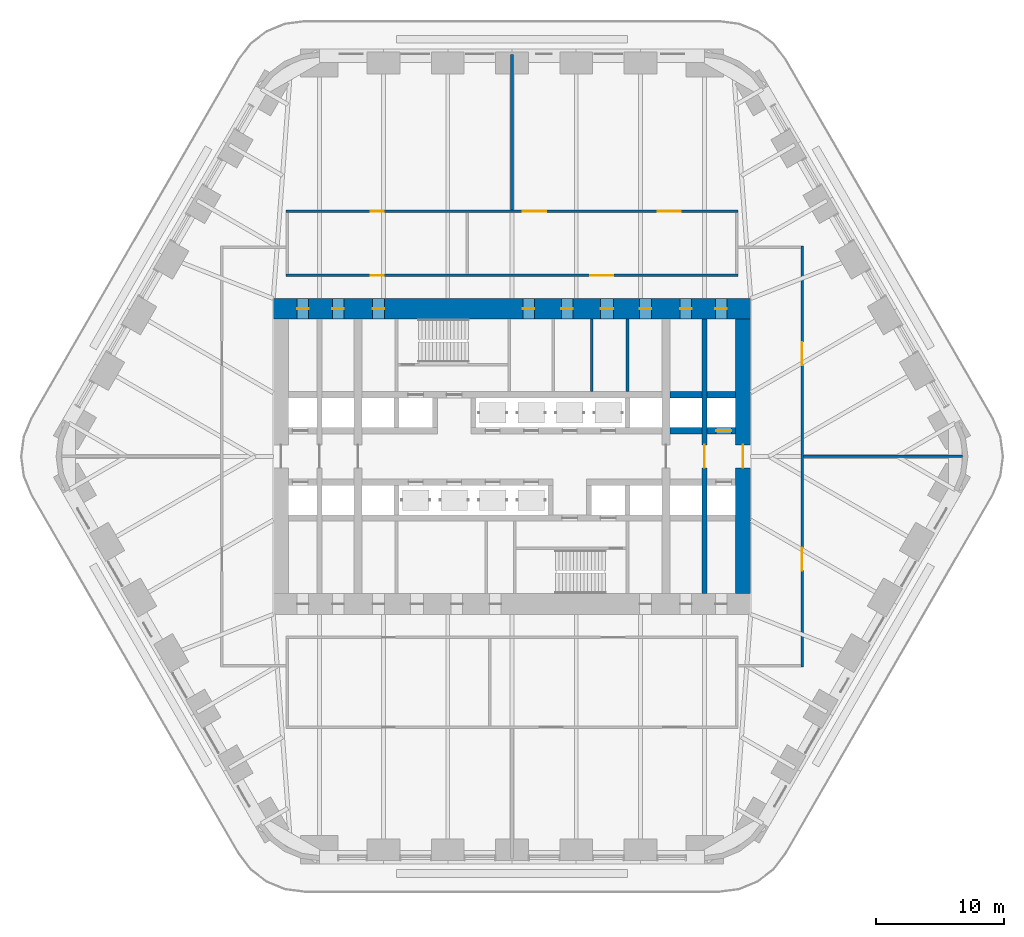
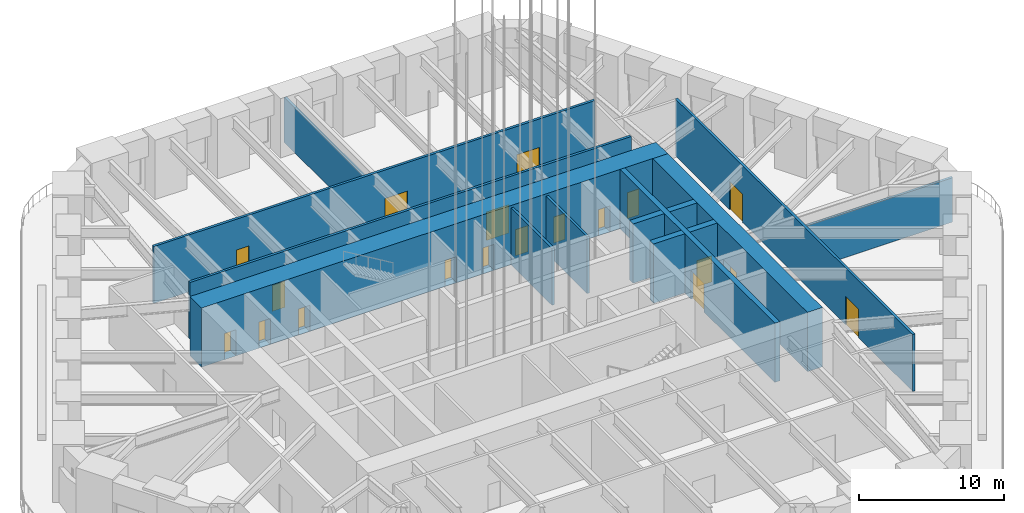
# One storey, part 10 of 15: 19 doors, 14 walls, 19 openings.
"""IFC4 building model written with IfcOpenShell, lengths in metres."""

from ifc_helpers import new_model, si_unit, direction, frame, frame_2d, origin, place, context, subcontext, project, spatial, rectangle, extrude, material, layer, layer_set, type_object, element, fill, save


model = new_model("IFC4")

# Units and contexts
model_context = context("Model", 3, precision=1e-05, world=origin(), true_north=direction((0.0, 1.0)))
body_context = subcontext(model_context, "Body", "Model", "MODEL_VIEW")
ifc_project = project(units=[si_unit("LENGTHUNIT", "METRE"), si_unit("AREAUNIT", "SQUARE_METRE"), si_unit("VOLUMEUNIT", "CUBIC_METRE"), si_unit("PLANEANGLEUNIT", "RADIAN"), si_unit("MASSUNIT", "GRAM", prefix="KILO")], contexts=[model_context])

# Site, building, storey
site_placement = place(None, origin())
site = spatial("IfcSite", under=ifc_project, at=site_placement, CompositionType="ELEMENT")
building_placement = place(site_placement, origin())
building = spatial("IfcBuilding", under=site, at=building_placement, Name="Tarfa Lantern Tower", CompositionType="ELEMENT")
storey_placement = place(building_placement, frame((0.0, 0.0, 114.5)))
storey = spatial("IfcBuildingStorey", under=building, at=storey_placement, Name="L25", CompositionType="ELEMENT", Elevation=114.5)

# Walls
ifc_material_1 = material(Name="Concrete blockwork", Category="masonry")
ifc_layer_1 = layer(ifc_material_1, 0.199951171875)
ifc_layer_set_1 = layer_set([ifc_layer_1], Name="IW1 BLOCKWORK PARTITION 200 EI 120")
wall_type_1 = type_object("IfcWallType", Name="IW1 BLOCKWORK PARTITION 200 EI 120", PredefinedType="PARTITIONING", material=ifc_layer_set_1)
for number, where, z_axis, x_axis, name in (
    (1, (9.0, 5.050048828125, 0.0), (0.0, 0.0, 1.0), (0.0, 1.0, 0.0), "Core partition"),
    (2, (6.199951171875, 5.050048828125, 0.0), (0.0, 0.0, 1.0), (0.0, 1.0, 0.0), "Core partition"),
):
    element("IfcWall", number, at=place(storey_placement, frame(where, z_axis=z_axis, x_axis=x_axis)), inside=storey, type_object=wall_type_1, Name=name, PredefinedType="PARTITIONING", context=body_context, shape_type="SweptSolid", body=[
        extrude(rectangle(XDim=5.64990234375, YDim=0.199951171875, at=frame_2d((2.824951171875, 0.0))), origin(), (0.0, 0.0, 1.0), 4.800048828125),
    ])

# Wall, openings, doors
ifc_material_2 = material(Name="Gypsum board on steel studs", Category="steel")
ifc_layer_2 = layer(ifc_material_2, 0.2099609375)
ifc_layer_set_2 = layer_set([ifc_layer_2], Name="IW2 ACOUSTIC PARTITION 200")
wall_type_2 = type_object("IfcWallType", Name="IW2 ACOUSTIC PARTITION 200", PredefinedType="PARTITIONING", material=ifc_layer_set_2)
wall_1_placement = place(storey_placement, frame((-17.60009765625, 14.10009765625, 0.0), z_axis=(0.0, 0.0, 1.0), x_axis=(1.0, 0.0, 0.0)))
wall_1 = element("IfcWall", 3, at=wall_1_placement, inside=storey, type_object=wall_type_2, Name="Partition", PredefinedType="PARTITIONING", context=body_context, shape_type="SweptSolid", body=[
    extrude(rectangle(XDim=35.2001953125, YDim=0.199951171875, at=frame_2d((17.60009765625, 0.0))), origin(), (0.0, 0.0, 1.0), 4.800048828125),
])
opening_1_placement = place(wall_1_placement, frame((6.60009765625, 0.0, 0.0)))
opening_1 = element("IfcOpeningElement", 4, at=opening_1_placement, cuts=wall_1, Name="Opening D35", PredefinedType="OPENING", context=body_context, shape_type="SweptSolid", body=[
    extrude(rectangle(XDim=1.0, YDim=2.199951171875, at=frame_2d((0.5, 1.10009765625))), frame((0.0, 0.10986328125, 0.0), z_axis=(0.0, -1.0, 0.0), x_axis=(1.0, 0.0, 0.0)), (0.0, 0.0, 1.0), 0.219970703125),
])
opening_2_placement = place(wall_1_placement, frame((23.699951171875, 0.0, 0.0)))
opening_2 = element("IfcOpeningElement", 5, at=opening_2_placement, cuts=wall_1, Name="Opening D36", PredefinedType="OPENING", context=body_context, shape_type="SweptSolid", body=[
    extrude(rectangle(XDim=1.800048828125, YDim=2.39990234375, at=frame_2d((0.89990234375, 1.199951171875))), frame((0.0, 0.10986328125, 0.0), z_axis=(0.0, -1.0, 0.0), x_axis=(1.0, 0.0, 0.0)), (0.0, 0.0, 1.0), 0.219970703125),
])
ifc_material_3 = material(Name="Timber door", Category="wood")
door_type_1 = type_object("IfcDoorType", Name="DR1 ROOM DOOR 1000x2200", OperationType="SINGLE_SWING_LEFT", PredefinedType="DOOR", material=ifc_material_3)
door_1_placement = place(opening_1_placement, origin())
door_1 = element("IfcDoor", 6, at=door_1_placement, inside=storey, type_object=door_type_1, Name="Reception door", OperationType="SINGLE_SWING_RIGHT", OverallHeight=2.199951171875, OverallWidth=1.0, PredefinedType="DOOR", context=body_context, shape_type="SweptSolid", body=[
    extrude(rectangle(XDim=1.0, YDim=2.199951171875, at=frame_2d((0.5, 1.10009765625))), frame((0.0, 0.02490234375, 0.0), z_axis=(0.0, -1.0, 0.0), x_axis=(1.0, 0.0, 0.0)), (0.0, 0.0, 1.0), 0.050048828125),
])
fill(opening_1, door_1)
door_type_2 = type_object("IfcDoorType", Name="DR2 ROOM DOOR 1800x2400", OperationType="DOUBLE_DOOR_SINGLE_SWING", PredefinedType="DOOR", material=ifc_material_3)
door_2_placement = place(opening_2_placement, origin())
door_2 = element("IfcDoor", 7, at=door_2_placement, inside=storey, type_object=door_type_2, Name="Waiting lounge door", OperationType="DOUBLE_DOOR_SINGLE_SWING", OverallHeight=2.39990234375, OverallWidth=1.800048828125, PredefinedType="DOOR", context=body_context, shape_type="SweptSolid", body=[
    extrude(rectangle(XDim=1.800048828125, YDim=2.39990234375, at=frame_2d((0.89990234375, 1.199951171875))), frame((0.0, 0.02490234375, 0.0), z_axis=(0.0, -1.0, 0.0), x_axis=(1.0, 0.0, 0.0)), (0.0, 0.0, 1.0), 0.050048828125),
])
fill(opening_2, door_2)

wall_2_placement = place(storey_placement, frame((-17.60009765625, 19.10009765625, 0.0), z_axis=(0.0, 0.0, 1.0), x_axis=(1.0, 0.0, 0.0)))
wall_2 = element("IfcWall", 8, at=wall_2_placement, inside=storey, type_object=wall_type_2, Name="Partition", PredefinedType="PARTITIONING", context=body_context, shape_type="SweptSolid", body=[
    extrude(rectangle(XDim=35.2001953125, YDim=0.199951171875, at=frame_2d((17.60009765625, 0.0))), origin(), (0.0, 0.0, 1.0), 4.800048828125),
])
opening_3_placement = place(wall_2_placement, frame((6.60009765625, 0.0, 0.0)))
opening_3 = element("IfcOpeningElement", 9, at=opening_3_placement, cuts=wall_2, Name="Opening D29", PredefinedType="OPENING", context=body_context, shape_type="SweptSolid", body=[
    extrude(rectangle(XDim=1.0, YDim=2.199951171875, at=frame_2d((0.5, 1.10009765625))), frame((0.0, 0.10986328125, 0.0), z_axis=(0.0, -1.0, 0.0), x_axis=(1.0, 0.0, 0.0)), (0.0, 0.0, 1.0), 0.219970703125),
])
opening_4_placement = place(wall_2_placement, frame((18.449951171875, 0.0, 0.0)))
opening_4 = element("IfcOpeningElement", 10, at=opening_4_placement, cuts=wall_2, Name="Opening D30", PredefinedType="OPENING", context=body_context, shape_type="SweptSolid", body=[
    extrude(rectangle(XDim=1.800048828125, YDim=2.39990234375, at=frame_2d((0.89990234375, 1.199951171875))), frame((0.0, 0.10986328125, 0.0), z_axis=(0.0, -1.0, 0.0), x_axis=(1.0, 0.0, 0.0)), (0.0, 0.0, 1.0), 0.219970703125),
])
opening_5_placement = place(wall_2_placement, frame((28.949951171875, 0.0, 0.0)))
opening_5 = element("IfcOpeningElement", 11, at=opening_5_placement, cuts=wall_2, Name="Opening D31", PredefinedType="OPENING", context=body_context, shape_type="SweptSolid", body=[
    extrude(rectangle(XDim=1.800048828125, YDim=2.39990234375, at=frame_2d((0.89990234375, 1.199951171875))), frame((0.0, 0.10986328125, 0.0), z_axis=(0.0, -1.0, 0.0), x_axis=(1.0, 0.0, 0.0)), (0.0, 0.0, 1.0), 0.219970703125),
])
door_3_placement = place(opening_3_placement, frame((1.0, 0.0, 0.0), z_axis=(0.0, 0.0, 1.0), x_axis=(-1.0, 0.0, 0.0)))
door_3 = element("IfcDoor", 12, at=door_3_placement, inside=storey, type_object=door_type_1, Name="Reception door", OperationType="SINGLE_SWING_LEFT", OverallHeight=2.199951171875, OverallWidth=1.0, PredefinedType="DOOR", context=body_context, shape_type="SweptSolid", body=[
    extrude(rectangle(XDim=1.0, YDim=2.199951171875, at=frame_2d((0.5, 1.10009765625))), frame((0.0, 0.02490234375, 0.0), z_axis=(0.0, -1.0, 0.0), x_axis=(1.0, 0.0, 0.0)), (0.0, 0.0, 1.0), 0.050048828125),
])
fill(opening_3, door_3)
door_4_placement = place(opening_4_placement, frame((1.800048828125, 0.0, 0.0), z_axis=(0.0, 0.0, 1.0), x_axis=(-1.0, 0.0, 0.0)))
door_4 = element("IfcDoor", 13, at=door_4_placement, inside=storey, type_object=door_type_2, Name="Waiting lounge door", OperationType="DOUBLE_DOOR_SINGLE_SWING", OverallHeight=2.39990234375, OverallWidth=1.800048828125, PredefinedType="DOOR", context=body_context, shape_type="SweptSolid", body=[
    extrude(rectangle(XDim=1.800048828125, YDim=2.39990234375, at=frame_2d((0.89990234375, 1.199951171875))), frame((0.0, 0.02490234375, 0.0), z_axis=(0.0, -1.0, 0.0), x_axis=(1.0, 0.0, 0.0)), (0.0, 0.0, 1.0), 0.050048828125),
])
fill(opening_4, door_4)
door_5_placement = place(opening_5_placement, frame((1.800048828125, 0.0, 0.0), z_axis=(0.0, 0.0, 1.0), x_axis=(-1.0, 0.0, 0.0)))
door_5 = element("IfcDoor", 14, at=door_5_placement, inside=storey, type_object=door_type_2, Name="Waiting lounge door", OperationType="DOUBLE_DOOR_SINGLE_SWING", OverallHeight=2.39990234375, OverallWidth=1.800048828125, PredefinedType="DOOR", context=body_context, shape_type="SweptSolid", body=[
    extrude(rectangle(XDim=1.800048828125, YDim=2.39990234375, at=frame_2d((0.89990234375, 1.199951171875))), frame((0.0, 0.02490234375, 0.0), z_axis=(0.0, -1.0, 0.0), x_axis=(1.0, 0.0, 0.0)), (0.0, 0.0, 1.0), 0.050048828125),
])
fill(opening_5, door_5)

wall_3_placement = place(storey_placement, frame((22.60009765625, -16.39990234375, 0.0), z_axis=(0.0, 0.0, 1.0), x_axis=(0.0, 1.0, 0.0)))
wall_3 = element("IfcWall", 15, at=wall_3_placement, inside=storey, type_object=wall_type_2, Name="Partition", PredefinedType="PARTITIONING", context=body_context, shape_type="SweptSolid", body=[
    extrude(rectangle(XDim=32.7998046875, YDim=0.199951171875, at=frame_2d((16.39990234375, 0.0))), origin(), (0.0, 0.0, 1.0), 4.800048828125),
])
opening_6_placement = place(wall_3_placement, frame((23.5, 0.0, 0.0)))
opening_6 = element("IfcOpeningElement", 16, at=opening_6_placement, cuts=wall_3, Name="Opening D39", PredefinedType="OPENING", context=body_context, shape_type="SweptSolid", body=[
    extrude(rectangle(XDim=1.800048828125, YDim=2.39990234375, at=frame_2d((0.89990234375, 1.199951171875))), frame((0.0, 0.10986328125, 0.0), z_axis=(0.0, -1.0, 0.0), x_axis=(1.0, 0.0, 0.0)), (0.0, 0.0, 1.0), 0.219970703125),
])
opening_7_placement = place(wall_3_placement, frame((7.5, 0.0, 0.0)))
opening_7 = element("IfcOpeningElement", 17, at=opening_7_placement, cuts=wall_3, Name="Opening D41", PredefinedType="OPENING", context=body_context, shape_type="SweptSolid", body=[
    extrude(rectangle(XDim=1.800048828125, YDim=2.39990234375, at=frame_2d((0.89990234375, 1.199951171875))), frame((0.0, 0.10986328125, 0.0), z_axis=(0.0, -1.0, 0.0), x_axis=(1.0, 0.0, 0.0)), (0.0, 0.0, 1.0), 0.219970703125),
])
door_6_placement = place(opening_6_placement, frame((1.800048828125, 0.0, 0.0), z_axis=(0.0, 0.0, 1.0), x_axis=(-1.0, 0.0, 0.0)))
door_6 = element("IfcDoor", 18, at=door_6_placement, inside=storey, type_object=door_type_2, Name="Business centre door", OperationType="DOUBLE_DOOR_SINGLE_SWING", OverallHeight=2.39990234375, OverallWidth=1.800048828125, PredefinedType="DOOR", context=body_context, shape_type="SweptSolid", body=[
    extrude(rectangle(XDim=1.800048828125, YDim=2.39990234375, at=frame_2d((0.89990234375, 1.199951171875))), frame((0.0, 0.02490234375, 0.0), z_axis=(0.0, -1.0, 0.0), x_axis=(1.0, 0.0, 0.0)), (0.0, 0.0, 1.0), 0.050048828125),
])
fill(opening_6, door_6)
door_7_placement = place(opening_7_placement, frame((1.800048828125, 0.0, 0.0), z_axis=(0.0, 0.0, 1.0), x_axis=(-1.0, 0.0, 0.0)))
door_7 = element("IfcDoor", 19, at=door_7_placement, inside=storey, type_object=door_type_2, Name="Client suite door", OperationType="DOUBLE_DOOR_SINGLE_SWING", OverallHeight=2.39990234375, OverallWidth=1.800048828125, PredefinedType="DOOR", context=body_context, shape_type="SweptSolid", body=[
    extrude(rectangle(XDim=1.800048828125, YDim=2.39990234375, at=frame_2d((0.89990234375, 1.199951171875))), frame((0.0, 0.02490234375, 0.0), z_axis=(0.0, -1.0, 0.0), x_axis=(1.0, 0.0, 0.0)), (0.0, 0.0, 1.0), 0.050048828125),
])
fill(opening_7, door_7)

# Walls
wall_4_placement = place(storey_placement, frame((22.699951171875, 0.0, 0.0), z_axis=(0.0, 0.0, 1.0), x_axis=(1.0, 0.0, 0.0)))
element("IfcWall", 20, at=wall_4_placement, inside=storey, type_object=wall_type_2, Name="Partition", PredefinedType="PARTITIONING", context=body_context, shape_type="SweptSolid", body=[
    extrude(rectangle(XDim=12.4091796875, YDim=0.199951171875, at=frame_2d((6.20458984375, 0.0))), origin(), (0.0, 0.0, 1.0), 3.743896484375),
])
wall_5_placement = place(storey_placement, frame((0.0, 19.199951171875, 0.0), z_axis=(0.0, 0.0, 1.0), x_axis=(0.0, 1.0, 0.0)))
element("IfcWall", 21, at=wall_5_placement, inside=storey, type_object=wall_type_2, Name="Partition", PredefinedType="PARTITIONING", context=body_context, shape_type="SweptSolid", body=[
    extrude(rectangle(XDim=12.110107421875, YDim=0.199951171875, at=frame_2d((6.05517578125, 0.0))), origin(), (0.0, 0.0, 1.0), 3.7919921875),
])

# Wall, opening, door
ifc_material_4 = material(Name="Concrete C80/95", Category="concrete")
ifc_layer_3 = layer(ifc_material_4, 1.199951171875)
ifc_layer_set_3 = layer_set([ifc_layer_3], Name="SW1 CORE WALL 1200")
wall_type_3 = type_object("IfcWallType", Name="SW1 CORE WALL 1200", PredefinedType="SHEAR", material=ifc_layer_set_3)
wall_6_placement = place(storey_placement, frame((18.0, -10.699951171875, 0.0), z_axis=(0.0, 0.0, 1.0), x_axis=(0.0, 1.0, 0.0)))
wall_6 = element("IfcWall", 22, at=wall_6_placement, inside=storey, type_object=wall_type_3, Name="Core wall E", PredefinedType="SHEAR", context=body_context, shape_type="SweptSolid", body=[
    extrude(rectangle(XDim=21.39990234375, YDim=1.199951171875, at=frame_2d((10.699951171875, 0.0))), origin(), (0.0, 0.0, 1.0), 5.0),
])
opening_8_placement = place(wall_6_placement, frame((9.800048828125, 0.0, 0.0)))
opening_8 = element("IfcOpeningElement", 23, at=opening_8_placement, cuts=wall_6, Name="Opening D15", PredefinedType="OPENING", context=body_context, shape_type="SweptSolid", body=[
    extrude(rectangle(XDim=1.800048828125, YDim=2.39990234375, at=frame_2d((0.89990234375, 1.199951171875))), frame((0.0, 0.60986328125, 0.0), z_axis=(0.0, -1.0, 0.0), x_axis=(1.0, 0.0, 0.0)), (0.0, 0.0, 1.0), 1.219970703125),
])
ifc_material_5 = material(Name="Steel fire door", Category="steel")
door_type_3 = type_object("IfcDoorType", Name="DL1 LOBBY DOOR 1800x2400", OperationType="DOUBLE_DOOR_SINGLE_SWING", PredefinedType="DOOR", material=ifc_material_5)
door_8_placement = place(opening_8_placement, origin())
door_8 = element("IfcDoor", 24, at=door_8_placement, inside=storey, type_object=door_type_3, Name="Lift lobby door", OperationType="DOUBLE_DOOR_SINGLE_SWING", OverallHeight=2.39990234375, OverallWidth=1.800048828125, PredefinedType="DOOR", context=body_context, shape_type="SweptSolid", body=[
    extrude(rectangle(XDim=1.800048828125, YDim=2.39990234375, at=frame_2d((0.89990234375, 1.199951171875))), frame((0.0, 0.02490234375, 0.0), z_axis=(0.0, -1.0, 0.0), x_axis=(1.0, 0.0, 0.0)), (0.0, 0.0, 1.0), 0.050048828125),
])
fill(opening_8, door_8)

# Wall
ifc_layer_4 = layer(ifc_material_4, 0.5)
ifc_layer_set_4 = layer_set([ifc_layer_4], Name="SW5 CORE WALL 500")
wall_type_4 = type_object("IfcWallType", Name="SW5 CORE WALL 500", PredefinedType="SHEAR", material=ifc_layer_set_4)
wall_7_placement = place(storey_placement, frame((12.300048828125, 2.0, 0.0), z_axis=(0.0, 0.0, 1.0), x_axis=(1.0, 0.0, 0.0)))
element("IfcWall", 25, at=wall_7_placement, inside=storey, type_object=wall_type_4, Name="Core wall lobby east N", PredefinedType="SHEAR", context=body_context, shape_type="SweptSolid", body=[
    extrude(rectangle(XDim=2.5, YDim=0.5, at=frame_2d((1.25, 0.0))), origin(), (0.0, 0.0, 1.0), 5.0),
])

# Wall, opening, door
wall_8_placement = place(storey_placement, frame((15.199951171875, 2.0, 0.0), z_axis=(0.0, 0.0, 1.0), x_axis=(1.0, 0.0, 0.0)))
wall_8 = element("IfcWall", 26, at=wall_8_placement, inside=storey, type_object=wall_type_4, Name="Core wall lobby east N", PredefinedType="SHEAR", context=body_context, shape_type="SweptSolid", body=[
    extrude(rectangle(XDim=2.199951171875, YDim=0.5, at=frame_2d((1.10009765625, 0.0))), origin(), (0.0, 0.0, 1.0), 5.0),
])
opening_9_placement = place(wall_8_placement, frame((0.699951171875, 0.0, 0.0)))
opening_9 = element("IfcOpeningElement", 27, at=opening_9_placement, cuts=wall_8, Name="Opening LD12", PredefinedType="OPENING", context=body_context, shape_type="SweptSolid", body=[
    extrude(rectangle(XDim=1.199951171875, YDim=2.199951171875, at=frame_2d((0.60009765625, 1.10009765625))), frame((0.0, 0.260009765625, 0.0), z_axis=(0.0, -1.0, 0.0), x_axis=(1.0, 0.0, 0.0)), (0.0, 0.0, 1.0), 0.52001953125),
])
ifc_material_6 = material(Name="Stainless steel lift door", Category="steel")
door_type_4 = type_object("IfcDoorType", Name="LD1 LIFT LANDING DOOR 1200x2200", OperationType="SLIDING_TO_LEFT", PredefinedType="DOOR", material=ifc_material_6)
door_9_placement = place(opening_9_placement, frame((1.199951171875, 0.0, 0.0), z_axis=(0.0, 0.0, 1.0), x_axis=(-1.0, 0.0, 0.0)))
door_9 = element("IfcDoor", 28, at=door_9_placement, inside=storey, type_object=door_type_4, Name="Landing door S2", OperationType="SLIDING_TO_LEFT", OverallHeight=2.199951171875, OverallWidth=1.199951171875, PredefinedType="DOOR", context=body_context, shape_type="SweptSolid", body=[
    extrude(rectangle(XDim=1.199951171875, YDim=2.199951171875, at=frame_2d((0.60009765625, 1.10009765625))), frame((0.0, 0.02490234375, 0.0), z_axis=(0.0, -1.0, 0.0), x_axis=(1.0, 0.0, 0.0)), (0.0, 0.0, 1.0), 0.050048828125),
])
fill(opening_9, door_9)

# Walls
wall_9_placement = place(storey_placement, frame((12.300048828125, 4.800048828125, 0.0), z_axis=(0.0, 0.0, 1.0), x_axis=(1.0, 0.0, 0.0)))
element("IfcWall", 29, at=wall_9_placement, inside=storey, type_object=wall_type_4, Name="Core wall rear N", PredefinedType="SHEAR", context=body_context, shape_type="SweptSolid", body=[
    extrude(rectangle(XDim=2.5, YDim=0.5, at=frame_2d((1.25, 0.0))), origin(), (0.0, 0.0, 1.0), 5.0),
])
wall_10_placement = place(storey_placement, frame((15.199951171875, 4.800048828125, 0.0), z_axis=(0.0, 0.0, 1.0), x_axis=(1.0, 0.0, 0.0)))
element("IfcWall", 30, at=wall_10_placement, inside=storey, type_object=wall_type_4, Name="Core wall rear N", PredefinedType="SHEAR", context=body_context, shape_type="SweptSolid", body=[
    extrude(rectangle(XDim=2.199951171875, YDim=0.5, at=frame_2d((1.10009765625, 0.0))), origin(), (0.0, 0.0, 1.0), 5.0),
])

# Wall, opening, door
ifc_layer_5 = layer(ifc_material_4, 0.39990234375)
ifc_layer_set_5 = layer_set([ifc_layer_5], Name="SW6 CORE WALL 400")
wall_type_5 = type_object("IfcWallType", Name="SW6 CORE WALL 400", PredefinedType="SHEAR", material=ifc_layer_set_5)
wall_11_placement = place(storey_placement, frame((15.0, -10.699951171875, 0.0), z_axis=(0.0, 0.0, 1.0), x_axis=(0.0, 1.0, 0.0)))
wall_11 = element("IfcWall", 31, at=wall_11_placement, inside=storey, type_object=wall_type_5, Name="Core wall cross 15 m east", PredefinedType="SHEAR", context=body_context, shape_type="SweptSolid", body=[
    extrude(rectangle(XDim=21.39990234375, YDim=0.39990234375, at=frame_2d((10.699951171875, 0.0))), origin(), (0.0, 0.0, 1.0), 5.0),
])
opening_10_placement = place(wall_11_placement, frame((9.800048828125, 0.0, 0.0)))
opening_10 = element("IfcOpeningElement", 32, at=opening_10_placement, cuts=wall_11, Name="Opening D26", PredefinedType="OPENING", context=body_context, shape_type="SweptSolid", body=[
    extrude(rectangle(XDim=1.800048828125, YDim=2.39990234375, at=frame_2d((0.89990234375, 1.199951171875))), frame((0.0, 0.2099609375, 0.0), z_axis=(0.0, -1.0, 0.0), x_axis=(1.0, 0.0, 0.0)), (0.0, 0.0, 1.0), 0.419921875),
])
door_10_placement = place(opening_10_placement, origin())
door_10 = element("IfcDoor", 33, at=door_10_placement, inside=storey, type_object=door_type_3, Name="Lift lobby door", OperationType="DOUBLE_DOOR_SINGLE_SWING", OverallHeight=2.39990234375, OverallWidth=1.800048828125, PredefinedType="DOOR", context=body_context, shape_type="SweptSolid", body=[
    extrude(rectangle(XDim=1.800048828125, YDim=2.39990234375, at=frame_2d((0.89990234375, 1.199951171875))), frame((0.0, 0.02490234375, 0.0), z_axis=(0.0, -1.0, 0.0), x_axis=(1.0, 0.0, 0.0)), (0.0, 0.0, 1.0), 0.050048828125),
])
fill(opening_10, door_10)

# Wall, openings, doors
ifc_layer_6 = layer(ifc_material_4, 1.60009765625)
ifc_layer_set_6 = layer_set([ifc_layer_6], Name="SW7 CORE WALL 1600")
wall_type_6 = type_object("IfcWallType", Name="SW7 CORE WALL 1600", PredefinedType="SHEAR", material=ifc_layer_set_6)
wall_12_placement = place(storey_placement, frame((-18.60009765625, 11.5, 0.0), z_axis=(0.0, 0.0, 1.0), x_axis=(1.0, 0.0, 0.0)))
wall_12 = element("IfcWall", 34, at=wall_12_placement, inside=storey, type_object=wall_type_6, Name="Core wall N", PredefinedType="SHEAR", context=body_context, shape_type="SweptSolid", body=[
    extrude(rectangle(XDim=37.2001953125, YDim=1.60009765625, at=frame_2d((18.60009765625, 0.0))), origin(), (0.0, 0.0, 1.0), 5.0),
])
opening_11_placement = place(wall_12_placement, frame((19.449951171875, 0.0, 0.0)))
opening_11 = element("IfcOpeningElement", 35, at=opening_11_placement, cuts=wall_12, Name="Opening D17", PredefinedType="OPENING", context=body_context, shape_type="SweptSolid", body=[
    extrude(rectangle(XDim=0.89990234375, YDim=2.199951171875, at=frame_2d((0.449951171875, 1.10009765625))), frame((0.0, 0.81005859375, 0.0), z_axis=(0.0, -1.0, 0.0), x_axis=(1.0, 0.0, 0.0)), (0.0, 0.0, 1.0), 1.6201171875),
])
opening_12_placement = place(wall_12_placement, frame((22.449951171875, 0.0, 0.0)))
opening_12 = element("IfcOpeningElement", 36, at=opening_12_placement, cuts=wall_12, Name="Opening D19", PredefinedType="OPENING", context=body_context, shape_type="SweptSolid", body=[
    extrude(rectangle(XDim=0.89990234375, YDim=2.199951171875, at=frame_2d((0.449951171875, 1.10009765625))), frame((0.0, 0.81005859375, 0.0), z_axis=(0.0, -1.0, 0.0), x_axis=(1.0, 0.0, 0.0)), (0.0, 0.0, 1.0), 1.6201171875),
])
opening_13_placement = place(wall_12_placement, frame((25.5, 0.0, 0.0)))
opening_13 = element("IfcOpeningElement", 37, at=opening_13_placement, cuts=wall_12, Name="Opening D21", PredefinedType="OPENING", context=body_context, shape_type="SweptSolid", body=[
    extrude(rectangle(XDim=1.0, YDim=2.199951171875, at=frame_2d((0.5, 1.10009765625))), frame((0.0, 0.81005859375, 0.0), z_axis=(0.0, -1.0, 0.0), x_axis=(1.0, 0.0, 0.0)), (0.0, 0.0, 1.0), 1.6201171875),
])
opening_14_placement = place(wall_12_placement, frame((1.85009765625, 0.0, 0.0)))
opening_14 = element("IfcOpeningElement", 38, at=opening_14_placement, cuts=wall_12, Name="Opening D11", PredefinedType="OPENING", context=body_context, shape_type="SweptSolid", body=[
    extrude(rectangle(XDim=0.89990234375, YDim=2.199951171875, at=frame_2d((0.449951171875, 1.10009765625))), frame((0.0, 0.81005859375, 0.0), z_axis=(0.0, -1.0, 0.0), x_axis=(1.0, 0.0, 0.0)), (0.0, 0.0, 1.0), 1.6201171875),
])
opening_15_placement = place(wall_12_placement, frame((4.60009765625, 0.0, 0.0)))
opening_15 = element("IfcOpeningElement", 39, at=opening_15_placement, cuts=wall_12, Name="Opening D07", PredefinedType="OPENING", context=body_context, shape_type="SweptSolid", body=[
    extrude(rectangle(XDim=0.89990234375, YDim=2.199951171875, at=frame_2d((0.449951171875, 1.10009765625))), frame((0.0, 0.81005859375, 0.0), z_axis=(0.0, -1.0, 0.0), x_axis=(1.0, 0.0, 0.0)), (0.0, 0.0, 1.0), 1.6201171875),
])
opening_16_placement = place(wall_12_placement, frame((7.75, 0.0, 0.0)))
opening_16 = element("IfcOpeningElement", 40, at=opening_16_placement, cuts=wall_12, Name="Opening D09", PredefinedType="OPENING", context=body_context, shape_type="SweptSolid", body=[
    extrude(rectangle(XDim=0.89990234375, YDim=2.199951171875, at=frame_2d((0.449951171875, 1.10009765625))), frame((0.0, 0.81005859375, 0.0), z_axis=(0.0, -1.0, 0.0), x_axis=(1.0, 0.0, 0.0)), (0.0, 0.0, 1.0), 1.6201171875),
])
opening_17_placement = place(wall_12_placement, frame((28.550048828125, 0.0, 0.0)))
opening_17 = element("IfcOpeningElement", 41, at=opening_17_placement, cuts=wall_12, Name="Opening D05", PredefinedType="OPENING", context=body_context, shape_type="SweptSolid", body=[
    extrude(rectangle(XDim=0.89990234375, YDim=2.199951171875, at=frame_2d((0.449951171875, 1.10009765625))), frame((0.0, 0.81005859375, 0.0), z_axis=(0.0, -1.0, 0.0), x_axis=(1.0, 0.0, 0.0)), (0.0, 0.0, 1.0), 1.6201171875),
])
opening_18_placement = place(wall_12_placement, frame((31.699951171875, 0.0, 0.0)))
opening_18 = element("IfcOpeningElement", 42, at=opening_18_placement, cuts=wall_12, Name="Opening D01", PredefinedType="OPENING", context=body_context, shape_type="SweptSolid", body=[
    extrude(rectangle(XDim=0.89990234375, YDim=2.199951171875, at=frame_2d((0.449951171875, 1.10009765625))), frame((0.0, 0.81005859375, 0.0), z_axis=(0.0, -1.0, 0.0), x_axis=(1.0, 0.0, 0.0)), (0.0, 0.0, 1.0), 1.6201171875),
])
opening_19_placement = place(wall_12_placement, frame((34.449951171875, 0.0, 0.0)))
opening_19 = element("IfcOpeningElement", 43, at=opening_19_placement, cuts=wall_12, Name="Opening D03", PredefinedType="OPENING", context=body_context, shape_type="SweptSolid", body=[
    extrude(rectangle(XDim=0.89990234375, YDim=2.199951171875, at=frame_2d((0.449951171875, 1.10009765625))), frame((0.0, 0.81005859375, 0.0), z_axis=(0.0, -1.0, 0.0), x_axis=(1.0, 0.0, 0.0)), (0.0, 0.0, 1.0), 1.6201171875),
])
door_type_5 = type_object("IfcDoorType", Name="DF3 CORE ROOM DOOR 900x2200", OperationType="SINGLE_SWING_LEFT", PredefinedType="DOOR", material=ifc_material_5)
door_11_placement = place(opening_11_placement, frame((0.89990234375, 0.0, 0.0), z_axis=(0.0, 0.0, 1.0), x_axis=(-1.0, 0.0, 0.0)))
door_11 = element("IfcDoor", 44, at=door_11_placement, inside=storey, type_object=door_type_5, Name="Core door", OperationType="SINGLE_SWING_LEFT", OverallHeight=2.199951171875, OverallWidth=0.89990234375, PredefinedType="DOOR", context=body_context, shape_type="SweptSolid", body=[
    extrude(rectangle(XDim=0.89990234375, YDim=2.199951171875, at=frame_2d((0.449951171875, 1.10009765625))), frame((0.0, 0.02490234375, 0.0), z_axis=(0.0, -1.0, 0.0), x_axis=(1.0, 0.0, 0.0)), (0.0, 0.0, 1.0), 0.050048828125),
])
fill(opening_11, door_11)
door_12_placement = place(opening_12_placement, frame((0.89990234375, 0.0, 0.0), z_axis=(0.0, 0.0, 1.0), x_axis=(-1.0, 0.0, 0.0)))
door_12 = element("IfcDoor", 45, at=door_12_placement, inside=storey, type_object=door_type_5, Name="Core door", OperationType="SINGLE_SWING_LEFT", OverallHeight=2.199951171875, OverallWidth=0.89990234375, PredefinedType="DOOR", context=body_context, shape_type="SweptSolid", body=[
    extrude(rectangle(XDim=0.89990234375, YDim=2.199951171875, at=frame_2d((0.449951171875, 1.10009765625))), frame((0.0, 0.02490234375, 0.0), z_axis=(0.0, -1.0, 0.0), x_axis=(1.0, 0.0, 0.0)), (0.0, 0.0, 1.0), 0.050048828125),
])
fill(opening_12, door_12)
door_type_6 = type_object("IfcDoorType", Name="DF4 CORE ROOM DOOR 1000x2200", OperationType="SINGLE_SWING_LEFT", PredefinedType="DOOR", material=ifc_material_5)
door_13_placement = place(opening_13_placement, frame((1.0, 0.0, 0.0), z_axis=(0.0, 0.0, 1.0), x_axis=(-1.0, 0.0, 0.0)))
door_13 = element("IfcDoor", 46, at=door_13_placement, inside=storey, type_object=door_type_6, Name="Core door", OperationType="SINGLE_SWING_LEFT", OverallHeight=2.199951171875, OverallWidth=1.0, PredefinedType="DOOR", context=body_context, shape_type="SweptSolid", body=[
    extrude(rectangle(XDim=1.0, YDim=2.199951171875, at=frame_2d((0.5, 1.10009765625))), frame((0.0, 0.02490234375, 0.0), z_axis=(0.0, -1.0, 0.0), x_axis=(1.0, 0.0, 0.0)), (0.0, 0.0, 1.0), 0.050048828125),
])
fill(opening_13, door_13)
door_type_7 = type_object("IfcDoorType", Name="DF5 RISER DOOR 900x2200", OperationType="SINGLE_SWING_LEFT", PredefinedType="DOOR", material=ifc_material_5)
door_14_placement = place(opening_14_placement, frame((0.89990234375, 0.0, 0.0), z_axis=(0.0, 0.0, 1.0), x_axis=(-1.0, 0.0, 0.0)))
door_14 = element("IfcDoor", 47, at=door_14_placement, inside=storey, type_object=door_type_7, Name="Riser door", OperationType="SINGLE_SWING_LEFT", OverallHeight=2.199951171875, OverallWidth=0.89990234375, PredefinedType="DOOR", context=body_context, shape_type="SweptSolid", body=[
    extrude(rectangle(XDim=0.89990234375, YDim=2.199951171875, at=frame_2d((0.449951171875, 1.10009765625))), frame((0.0, 0.02490234375, 0.0), z_axis=(0.0, -1.0, 0.0), x_axis=(1.0, 0.0, 0.0)), (0.0, 0.0, 1.0), 0.050048828125),
])
fill(opening_14, door_14)
door_15_placement = place(opening_15_placement, frame((0.89990234375, 0.0, 0.0), z_axis=(0.0, 0.0, 1.0), x_axis=(-1.0, 0.0, 0.0)))
door_15 = element("IfcDoor", 48, at=door_15_placement, inside=storey, type_object=door_type_7, Name="Riser door", OperationType="SINGLE_SWING_LEFT", OverallHeight=2.199951171875, OverallWidth=0.89990234375, PredefinedType="DOOR", context=body_context, shape_type="SweptSolid", body=[
    extrude(rectangle(XDim=0.89990234375, YDim=2.199951171875, at=frame_2d((0.449951171875, 1.10009765625))), frame((0.0, 0.02490234375, 0.0), z_axis=(0.0, -1.0, 0.0), x_axis=(1.0, 0.0, 0.0)), (0.0, 0.0, 1.0), 0.050048828125),
])
fill(opening_15, door_15)
door_16_placement = place(opening_16_placement, frame((0.89990234375, 0.0, 0.0), z_axis=(0.0, 0.0, 1.0), x_axis=(-1.0, 0.0, 0.0)))
door_16 = element("IfcDoor", 49, at=door_16_placement, inside=storey, type_object=door_type_7, Name="Riser door", OperationType="SINGLE_SWING_LEFT", OverallHeight=2.199951171875, OverallWidth=0.89990234375, PredefinedType="DOOR", context=body_context, shape_type="SweptSolid", body=[
    extrude(rectangle(XDim=0.89990234375, YDim=2.199951171875, at=frame_2d((0.449951171875, 1.10009765625))), frame((0.0, 0.02490234375, 0.0), z_axis=(0.0, -1.0, 0.0), x_axis=(1.0, 0.0, 0.0)), (0.0, 0.0, 1.0), 0.050048828125),
])
fill(opening_16, door_16)
door_17_placement = place(opening_17_placement, frame((0.89990234375, 0.0, 0.0), z_axis=(0.0, 0.0, 1.0), x_axis=(-1.0, 0.0, 0.0)))
door_17 = element("IfcDoor", 50, at=door_17_placement, inside=storey, type_object=door_type_7, Name="Riser door", OperationType="SINGLE_SWING_RIGHT", OverallHeight=2.199951171875, OverallWidth=0.89990234375, PredefinedType="DOOR", context=body_context, shape_type="SweptSolid", body=[
    extrude(rectangle(XDim=0.89990234375, YDim=2.199951171875, at=frame_2d((0.449951171875, 1.10009765625))), frame((0.0, 0.02490234375, 0.0), z_axis=(0.0, -1.0, 0.0), x_axis=(1.0, 0.0, 0.0)), (0.0, 0.0, 1.0), 0.050048828125),
])
fill(opening_17, door_17)
door_18_placement = place(opening_18_placement, frame((0.89990234375, 0.0, 0.0), z_axis=(0.0, 0.0, 1.0), x_axis=(-1.0, 0.0, 0.0)))
door_18 = element("IfcDoor", 51, at=door_18_placement, inside=storey, type_object=door_type_7, Name="Riser door", OperationType="SINGLE_SWING_RIGHT", OverallHeight=2.199951171875, OverallWidth=0.89990234375, PredefinedType="DOOR", context=body_context, shape_type="SweptSolid", body=[
    extrude(rectangle(XDim=0.89990234375, YDim=2.199951171875, at=frame_2d((0.449951171875, 1.10009765625))), frame((0.0, 0.02490234375, 0.0), z_axis=(0.0, -1.0, 0.0), x_axis=(1.0, 0.0, 0.0)), (0.0, 0.0, 1.0), 0.050048828125),
])
fill(opening_18, door_18)
door_19_placement = place(opening_19_placement, frame((0.89990234375, 0.0, 0.0), z_axis=(0.0, 0.0, 1.0), x_axis=(-1.0, 0.0, 0.0)))
door_19 = element("IfcDoor", 52, at=door_19_placement, inside=storey, type_object=door_type_7, Name="Riser door", OperationType="SINGLE_SWING_RIGHT", OverallHeight=2.199951171875, OverallWidth=0.89990234375, PredefinedType="DOOR", context=body_context, shape_type="SweptSolid", body=[
    extrude(rectangle(XDim=0.89990234375, YDim=2.199951171875, at=frame_2d((0.449951171875, 1.10009765625))), frame((0.0, 0.02490234375, 0.0), z_axis=(0.0, -1.0, 0.0), x_axis=(1.0, 0.0, 0.0)), (0.0, 0.0, 1.0), 0.050048828125),
])
fill(opening_19, door_19)

save(model, "model.ifc")
